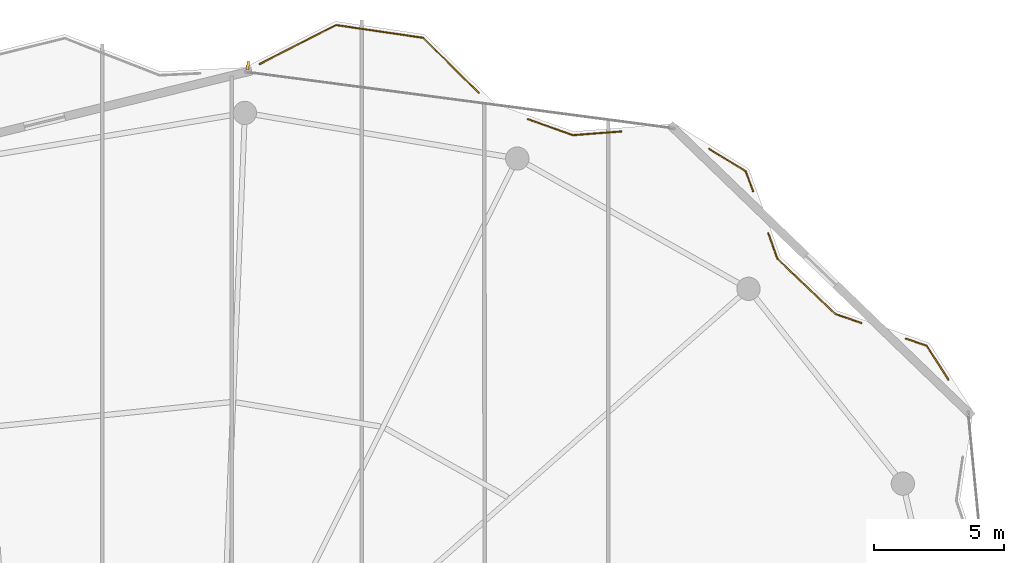
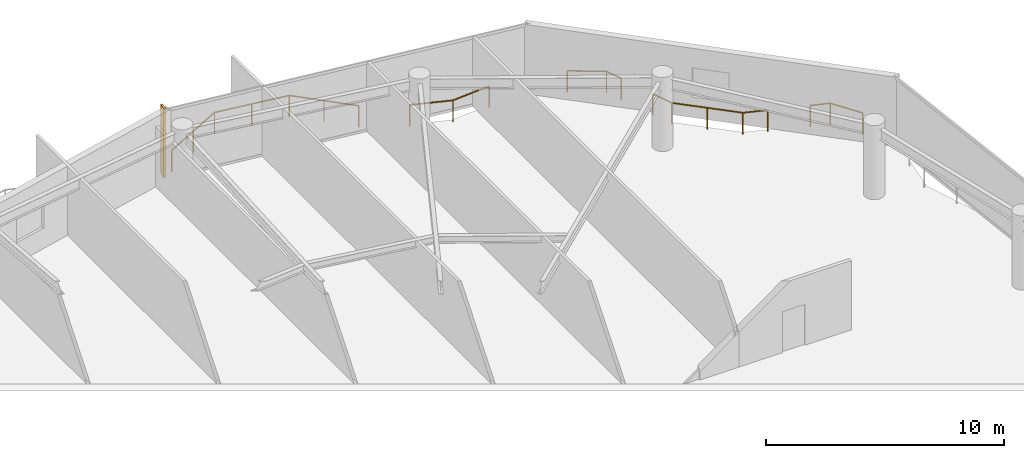
# One storey, part 29 of 29: 5 railings, 1 shading device.
"""IFC4 building model written with IfcOpenShell, lengths in metres."""

from ifc_helpers import new_model, si_unit, direction, frame, origin, origin_2d, place, context, subcontext, project, spatial, rectangle, extrude, material, type_object, element, save


model = new_model("IFC4")

# Units and contexts
model_context = context("Model", 3, precision=1e-05, world=origin(), true_north=direction((0.0, 1.0)))
body_context = subcontext(model_context, "Body", "Model", "MODEL_VIEW")
ifc_project = project(units=[si_unit("LENGTHUNIT", "METRE"), si_unit("AREAUNIT", "SQUARE_METRE"), si_unit("VOLUMEUNIT", "CUBIC_METRE"), si_unit("PLANEANGLEUNIT", "RADIAN"), si_unit("MASSUNIT", "GRAM", prefix="KILO")], contexts=[model_context])

# Site, building, storey
site_placement = place(None, origin())
site = spatial("IfcSite", under=ifc_project, at=site_placement, CompositionType="ELEMENT")
building_placement = place(site_placement, origin())
building = spatial("IfcBuilding", under=site, at=building_placement, Name="Kazevale Care Tower and Concert Hall", CompositionType="ELEMENT")
storey_placement = place(building_placement, frame((0.0, 0.0, 262.39990234375)))
storey = spatial("IfcBuildingStorey", under=building, at=storey_placement, Name="L69", CompositionType="ELEMENT", Elevation=262.39990234375)

# Railings
ifc_material_1 = material(Name="Anodised Bronze Aluminium and Laminated Glass", Category="aluminium")
railing_type = type_object("IfcRailingType", Name="Balcony and Terrace Balustrade 1120", PredefinedType="BALUSTRADE", material=ifc_material_1)
railing_1_placement = place(storey_placement, frame((45.573974609375, 63.035888671875, 0.0)))
element("IfcRailing", 1, at=railing_1_placement, inside=storey, type_object=railing_type, Name="rail:L69:perim:6", PredefinedType="BALUSTRADE", context=body_context, shape_type="SweptSolid", body=[
    extrude(rectangle(XDim=0.048095703125, YDim=0.048095703125, at=origin_2d()), frame((0.0, 0.0, 1.09619140625), z_axis=(0.890635876705, 0.454717203463, 0.0), x_axis=(-0.454717203463, 0.890635876705, 0.0)), (0.0, 0.0, 1.0), 3.298828125),
    extrude(rectangle(XDim=0.048095703125, YDim=0.048095703125, at=origin_2d()), frame((2.93798828125, 1.5, 1.09619140625), z_axis=(0.989455274638, -0.144838736155, 0.0), x_axis=(0.144838736155, 0.989455274638, 0.0)), (0.0, 0.0, 1.0), 3.3896484375),
    extrude(rectangle(XDim=0.048095703125, YDim=0.048095703125, at=origin_2d()), frame((6.2919921875, 1.009033203125, 1.09619140625), z_axis=(0.712259123312, -0.701916619876, 0.0), x_axis=(0.701916619876, 0.712259123312, 0.0)), (0.0, 0.0, 1.0), 3.021484375),
    extrude(rectangle(XDim=0.0419921875, YDim=0.0419921875, at=origin_2d()), origin(), (0.0, 0.0, 1.0), 1.072021484375),
    extrude(rectangle(XDim=0.0419921875, YDim=0.0419921875, at=origin_2d()), frame((1.468994140625, 0.75, 0.0)), (0.0, 0.0, 1.0), 1.072021484375),
    extrude(rectangle(XDim=0.0419921875, YDim=0.0419921875, at=origin_2d()), frame((2.93798828125, 1.5, 0.0)), (0.0, 0.0, 1.0), 1.072021484375),
    extrude(rectangle(XDim=0.0419921875, YDim=0.0419921875, at=origin_2d()), frame((4.614990234375, 1.25439453125, 0.0)), (0.0, 0.0, 1.0), 1.072021484375),
    extrude(rectangle(XDim=0.0419921875, YDim=0.0419921875, at=origin_2d()), frame((6.2919921875, 1.009033203125, 0.0)), (0.0, 0.0, 1.0), 1.072021484375),
    extrude(rectangle(XDim=0.0419921875, YDim=0.0419921875, at=origin_2d()), frame((7.3681640625, -0.05126953125, 0.0)), (0.0, 0.0, 1.0), 1.072021484375),
    extrude(rectangle(XDim=0.0419921875, YDim=0.0419921875, at=origin_2d()), frame((8.444091796875, -1.11181640625, 0.0)), (0.0, 0.0, 1.0), 1.072021484375),
])
railing_2_placement = place(storey_placement, frame((55.906982421875, 60.907958984375, 0.0)))
element("IfcRailing", 2, at=railing_2_placement, inside=storey, type_object=railing_type, Name="rail:L69:perim:7", PredefinedType="BALUSTRADE", context=body_context, shape_type="SweptSolid", body=[
    extrude(rectangle(XDim=0.048095703125, YDim=0.048095703125, at=origin_2d()), frame((0.0, 0.0, 1.09619140625), z_axis=(0.942909884702, -0.333047968515, 0.0), x_axis=(0.333047968515, 0.942909884702, 0.0)), (0.0, 0.0, 1.0), 1.849365234375),
    extrude(rectangle(XDim=0.048095703125, YDim=0.048095703125, at=origin_2d()), frame((1.743896484375, -0.615966796875, 1.09619140625), z_axis=(0.997026572903, 0.077058503261, 0.0), x_axis=(-0.077058503261, 0.997026572903, 0.0)), (0.0, 0.0, 1.0), 1.856689453125),
    extrude(rectangle(XDim=0.0419921875, YDim=0.0419921875, at=origin_2d()), origin(), (0.0, 0.0, 1.0), 1.072021484375),
    extrude(rectangle(XDim=0.0419921875, YDim=0.0419921875, at=origin_2d()), frame((1.743896484375, -0.615966796875, 0.0)), (0.0, 0.0, 1.0), 1.072021484375),
    extrude(rectangle(XDim=0.0419921875, YDim=0.0419921875, at=origin_2d()), frame((3.594970703125, -0.472900390625, 0.0)), (0.0, 0.0, 1.0), 1.072021484375),
])
railing_3_placement = place(storey_placement, frame((62.89599609375, 59.760986328125, 0.0)))
element("IfcRailing", 3, at=railing_3_placement, inside=storey, type_object=railing_type, Name="rail:L69:perim:8", PredefinedType="BALUSTRADE", context=body_context, shape_type="SweptSolid", body=[
    extrude(rectangle(XDim=0.048095703125, YDim=0.048095703125, at=origin_2d()), frame((0.0, 0.0, 1.09619140625), z_axis=(0.853059174464, -0.521814186145, 0.0), x_axis=(0.521814186145, 0.853059174464, 0.0)), (0.0, 0.0, 1.0), 1.65380859375),
    extrude(rectangle(XDim=0.048095703125, YDim=0.048095703125, at=origin_2d()), frame((1.410888671875, -0.863037109375, 1.09619140625), z_axis=(0.3409951537, -0.940065053681, 0.0), x_axis=(0.940065053681, 0.3409951537, 0.0)), (0.0, 0.0, 1.0), 0.8125),
    extrude(rectangle(XDim=0.0419921875, YDim=0.0419921875, at=origin_2d()), origin(), (0.0, 0.0, 1.0), 1.072021484375),
    extrude(rectangle(XDim=0.0419921875, YDim=0.0419921875, at=origin_2d()), frame((1.410888671875, -0.863037109375, 0.0)), (0.0, 0.0, 1.0), 1.072021484375),
    extrude(rectangle(XDim=0.0419921875, YDim=0.0419921875, at=origin_2d()), frame((1.68798828125, -1.626953125, 0.0)), (0.0, 0.0, 1.0), 1.072021484375),
])
railing_4_placement = place(storey_placement, frame((65.1708984375, 56.511962890625, 0.0)))
element("IfcRailing", 4, at=railing_4_placement, inside=storey, type_object=railing_type, Name="rail:L69:perim:9", PredefinedType="BALUSTRADE", context=body_context, shape_type="SweptSolid", body=[
    extrude(rectangle(XDim=0.048095703125, YDim=0.048095703125, at=origin_2d()), frame((0.0, 0.0, 1.09619140625), z_axis=(0.34041263139, -0.940276151133, 0.0), x_axis=(0.940276151133, 0.34041263139, 0.0)), (0.0, 0.0, 1.0), 1.04638671875),
    extrude(rectangle(XDim=0.048095703125, YDim=0.048095703125, at=origin_2d()), frame((0.356201171875, -0.98388671875, 1.09619140625), z_axis=(0.723602138896, -0.690217316926, 0.0), x_axis=(0.690217316926, 0.723602138896, 0.0)), (0.0, 0.0, 1.0), 3.078857421875),
    extrude(rectangle(XDim=0.048095703125, YDim=0.048095703125, at=origin_2d()), frame((2.583984375, -3.10888671875, 1.09619140625), z_axis=(0.94396922384, -0.330033489881, 0.0), x_axis=(0.330033489881, 0.94396922384, 0.0)), (0.0, 0.0, 1.0), 1.063720703125),
    extrude(rectangle(XDim=0.0419921875, YDim=0.0419921875, at=origin_2d()), origin(), (0.0, 0.0, 1.0), 1.072021484375),
    extrude(rectangle(XDim=0.0419921875, YDim=0.0419921875, at=origin_2d()), frame((0.356201171875, -0.98388671875, 0.0)), (0.0, 0.0, 1.0), 1.072021484375),
    extrude(rectangle(XDim=0.0419921875, YDim=0.0419921875, at=origin_2d()), frame((1.47021484375, -2.04638671875, 0.0)), (0.0, 0.0, 1.0), 1.072021484375),
    extrude(rectangle(XDim=0.0419921875, YDim=0.0419921875, at=origin_2d()), frame((2.583984375, -3.10888671875, 0.0)), (0.0, 0.0, 1.0), 1.072021484375),
    extrude(rectangle(XDim=0.0419921875, YDim=0.0419921875, at=origin_2d()), frame((3.588134765625, -3.4599609375, 0.0)), (0.0, 0.0, 1.0), 1.072021484375),
])
railing_5_placement = place(storey_placement, frame((70.47705078125, 52.450927734375, 0.0)))
element("IfcRailing", 5, at=railing_5_placement, inside=storey, type_object=railing_type, Name="rail:L69:perim:11", PredefinedType="BALUSTRADE", context=body_context, shape_type="SweptSolid", body=[
    extrude(rectangle(XDim=0.048095703125, YDim=0.048095703125, at=origin_2d()), frame((0.0, 0.0, 1.09619140625), z_axis=(0.944014108482, -0.329905081784, 0.0), x_axis=(0.329905081784, 0.944014108482, 0.0)), (0.0, 0.0, 1.0), 0.854736328125),
    extrude(rectangle(XDim=0.048095703125, YDim=0.048095703125, at=origin_2d()), frame((0.806884765625, -0.281982421875, 1.09619140625), z_axis=(0.539502311999, -0.841984118228, 0.0), x_axis=(0.841984118228, 0.539502311999, 0.0)), (0.0, 0.0, 1.0), 1.5439453125),
    extrude(rectangle(XDim=0.0419921875, YDim=0.0419921875, at=origin_2d()), origin(), (0.0, 0.0, 1.0), 1.072021484375),
    extrude(rectangle(XDim=0.0419921875, YDim=0.0419921875, at=origin_2d()), frame((0.806884765625, -0.281982421875, 0.0)), (0.0, 0.0, 1.0), 1.072021484375),
    extrude(rectangle(XDim=0.0419921875, YDim=0.0419921875, at=origin_2d()), frame((1.639892578125, -1.58203125, 0.0)), (0.0, 0.0, 1.0), 1.072021484375),
])

# Shading device
ifc_material_2 = material(Name="Anodised Bronze Aluminium", Category="aluminium")
shading_device_type = type_object("IfcShadingDeviceType", Name="Waist Anodised Bronze-Stone Fin FIN-02", PredefinedType="USERDEFINED", material=ifc_material_2)
shading_device_placement = place(storey_placement, frame((45.1201171875, 62.970703125, 0.0), z_axis=(0.0, 0.0, 1.0), x_axis=(0.13052619222, 0.991444861374, 0.0)))
element("IfcShadingDevice", 6, at=shading_device_placement, inside=storey, type_object=shading_device_type, Name="cw:L69:f16:fin", ObjectType="FIN", PredefinedType="USERDEFINED", context=body_context, shape_type="SweptSolid", body=[
    extrude(rectangle(XDim=0.340087890625, YDim=0.10009765625, at=origin_2d()), origin(), (0.0, 0.0, 1.0), 3.56005859375),
])

save(model, "model.ifc")
